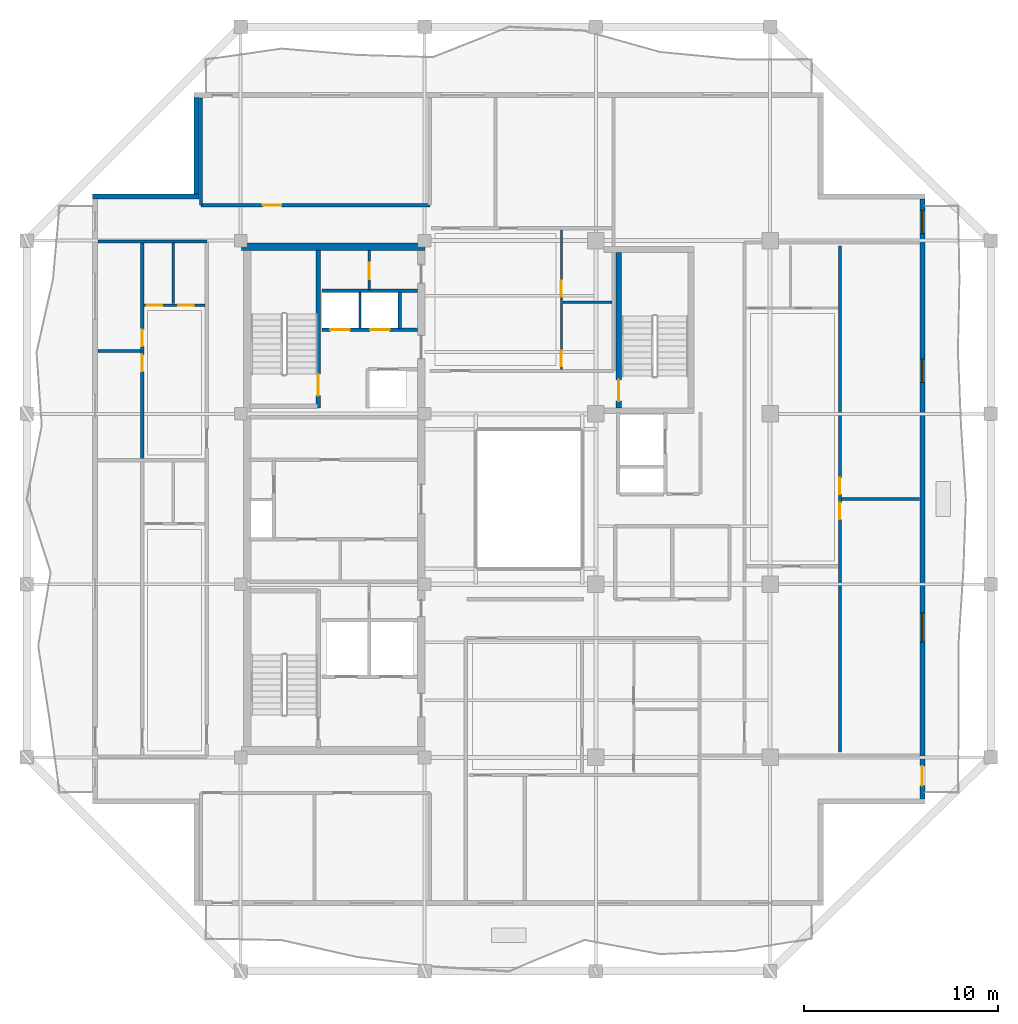
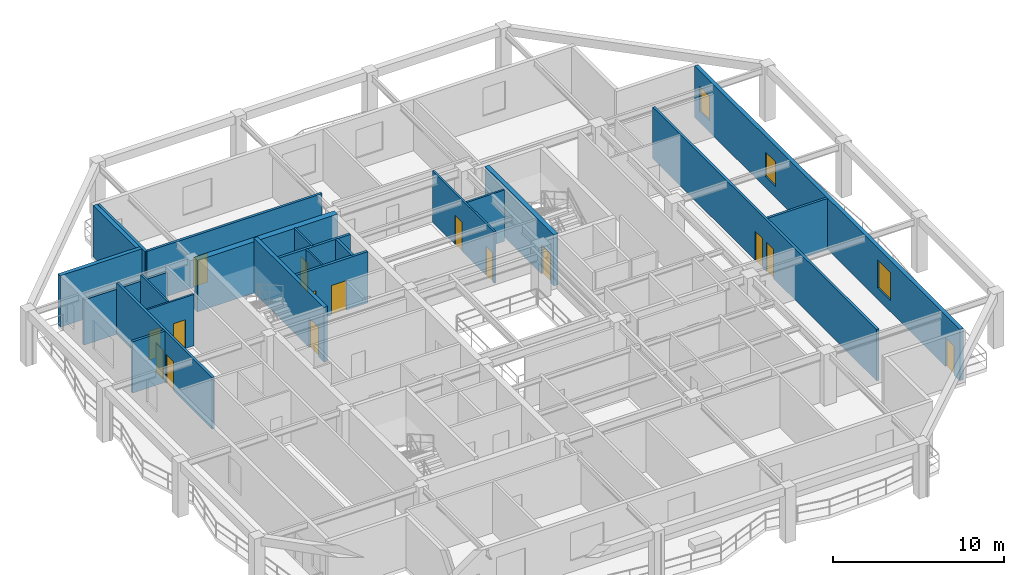
# One storey, part 5 of 11: 22 walls, 15 doors, 3 windows, 18 openings.
"""IFC4 building model written with IfcOpenShell, lengths in metres."""

from ifc_helpers import new_model, si_unit, direction, frame, frame_2d, origin, place, context, subcontext, project, spatial, rectangle, extrude, material, layer, layer_set, type_object, element, fill, save


model = new_model("IFC4")

# Units and contexts
model_context = context("Model", 3, precision=1e-05, world=origin(), true_north=direction((0.0, 1.0)))
body_context = subcontext(model_context, "Body", "Model", "MODEL_VIEW")
ifc_project = project(units=[si_unit("LENGTHUNIT", "METRE"), si_unit("AREAUNIT", "SQUARE_METRE"), si_unit("VOLUMEUNIT", "CUBIC_METRE"), si_unit("PLANEANGLEUNIT", "RADIAN"), si_unit("MASSUNIT", "GRAM", prefix="KILO")], contexts=[model_context])

# Site, building, storey
site_placement = place(None, origin())
site = spatial("IfcSite", under=ifc_project, at=site_placement, CompositionType="ELEMENT")
building_placement = place(site_placement, origin())
building = spatial("IfcBuilding", under=site, at=building_placement, Name="Kundavana Baori Tower", CompositionType="ELEMENT")
storey_placement = place(building_placement, frame((0.0, 0.0, 249.199951171875)))
storey = spatial("IfcBuildingStorey", under=building, at=storey_placement, Name="L61", CompositionType="ELEMENT", Elevation=249.199951171875)

# Wall
ifc_material_1 = material(Name="Concrete C50/60", Category="concrete")
ifc_layer_1 = layer(ifc_material_1, 0.39990234375, Name="WL-CORE-400")
ifc_layer_set_1 = layer_set([ifc_layer_1], Name="Concrete C50/60")
wall_type_1 = type_object("IfcWallType", Name="WL-CORE-400", PredefinedType="SHEAR", material=ifc_layer_set_1)
wall_1_placement = place(storey_placement, frame((15.5, 41.639892578125, 0.0), z_axis=(0.0, 0.0, 1.0), x_axis=(1.0, 0.0, 0.0)))
element("IfcWall", 1, at=wall_1_placement, inside=storey, type_object=wall_type_1, Name="L61 Offset Core North Shear Wall", PredefinedType="SHEAR", context=body_context, shape_type="SweptSolid", body=[
    extrude(rectangle(XDim=9.47998046875, YDim=0.39990234375, at=frame_2d((4.739990234375, 0.0))), origin(), (0.0, 0.0, 1.0), 3.66015625),
])

# Wall, opening, door
wall_2_placement = place(storey_placement, frame((19.4599609375, 33.300048828125, 0.0), z_axis=(0.0, 0.0, 1.0), x_axis=(0.0, 1.0, 0.0)))
wall_2 = element("IfcWall", 2, at=wall_2_placement, inside=storey, type_object=wall_type_1, Name="WL-L61-ST2-E", PredefinedType="SHEAR", context=body_context, shape_type="SweptSolid", body=[
    extrude(rectangle(XDim=8.179931640625, YDim=0.239990234375, at=frame_2d((4.08984375, 0.0))), origin(), (0.0, 0.0, 1.0), 3.900146484375),
])
opening_1_placement = place(wall_2_placement, frame((0.64990234375, 0.0, 0.0)))
opening_1 = element("IfcOpeningElement", 3, at=opening_1_placement, cuts=wall_2, Name="Opening FD-110", PredefinedType="OPENING", context=body_context, shape_type="SweptSolid", body=[
    extrude(rectangle(XDim=1.10009765625, YDim=2.10009765625, at=frame_2d((0.550048828125, 1.050048828125))), frame((0.0, 0.1298828125, 0.0), z_axis=(0.0, -1.0, 0.0), x_axis=(1.0, 0.0, 0.0)), (0.0, 0.0, 1.0), 0.260009765625),
])
ifc_material_2 = material(Name="Galvanised Steel Fire-Rated Door Leaf", Category="steel")
door_type_1 = type_object("IfcDoorType", Name="DR-FD120-1100", OperationType="NOTDEFINED", PredefinedType="DOOR", material=ifc_material_2)
door_1_placement = place(opening_1_placement, origin())
door_1 = element("IfcDoor", 4, at=door_1_placement, inside=storey, type_object=door_type_1, Name="DR-L61-ST2", OperationType="SINGLE_SWING_RIGHT", OverallHeight=2.10009765625, OverallWidth=1.10009765625, PredefinedType="DOOR", context=body_context, shape_type="SweptSolid", body=[
    extrude(rectangle(XDim=1.10009765625, YDim=2.10009765625, at=frame_2d((0.550048828125, 1.050048828125))), frame((0.0, 0.02490234375, 0.0), z_axis=(0.0, -1.0, 0.0), x_axis=(1.0, 0.0, 0.0)), (0.0, 0.0, 1.0), 0.050048828125),
])
fill(opening_1, door_1)

# Wall, openings, door, windows
ifc_material_3 = material(Name="Kiln-Fired Terracotta Brick-Slip Masonry on Concrete C40/50", Category="masonry")
ifc_layer_2 = layer(ifc_material_3, 0.260009765625, Name="WL-EXT-BRK-260")
ifc_layer_set_2 = layer_set([ifc_layer_2], Name="Kiln-Fired Terracotta Brick-Slip Masonry on Concrete C40/50")
wall_type_2 = type_object("IfcWallType", Name="WL-EXT-BRK-260", PredefinedType="SOLIDWALL", material=ifc_layer_set_2)
wall_3_placement = place(storey_placement, frame((50.669921875, 13.110107421875, 0.0), z_axis=(0.0, 0.0, 1.0), x_axis=(0.0, 1.0, 0.0)))
wall_3 = element("IfcWall", 5, at=wall_3_placement, inside=storey, type_object=wall_type_2, Name="L61 Exterior Insulated Facade Wall 04", PredefinedType="SOLIDWALL", context=body_context, shape_type="SweptSolid", body=[
    extrude(rectangle(XDim=30.97998046875, YDim=0.260009765625, at=frame_2d((15.489990234375, 0.0))), origin(), (0.0, 0.0, 1.0), 3.66015625),
])
opening_2_placement = place(wall_3_placement, frame((0.68994140625, 0.0, 0.0)))
opening_2 = element("IfcOpeningElement", 6, at=opening_2_placement, cuts=wall_3, Name="Opening BD-1", PredefinedType="OPENING", context=body_context, shape_type="SweptSolid", body=[
    extrude(rectangle(XDim=1.0, YDim=2.050048828125, at=frame_2d((0.5, 1.02490234375))), frame((0.0, 0.14013671875, 0.0), z_axis=(0.0, -1.0, 0.0), x_axis=(1.0, 0.0, 0.0)), (0.0, 0.0, 1.0), 0.280029296875),
])
opening_3_placement = place(wall_3_placement, frame((8.114990234375, 0.0, 0.800048828125)))
opening_3 = element("IfcOpeningElement", 7, at=opening_3_placement, cuts=wall_3, Name="Opening W-02", PredefinedType="OPENING", context=body_context, shape_type="SweptSolid", body=[
    extrude(rectangle(XDim=1.5, YDim=2.0, at=frame_2d((0.75, 1.0))), frame((0.0, 0.14013671875, 0.0), z_axis=(0.0, -1.0, 0.0), x_axis=(1.0, 0.0, 0.0)), (0.0, 0.0, 1.0), 0.280029296875),
])
opening_4_placement = place(wall_3_placement, frame((21.514892578125, 0.0, 0.800048828125)))
opening_4 = element("IfcOpeningElement", 8, at=opening_4_placement, cuts=wall_3, Name="Opening W-03", PredefinedType="OPENING", context=body_context, shape_type="SweptSolid", body=[
    extrude(rectangle(XDim=1.199951171875, YDim=1.75, at=frame_2d((0.60009765625, 0.875))), frame((0.0, 0.14013671875, 0.0), z_axis=(0.0, -1.0, 0.0), x_axis=(1.0, 0.0, 0.0)), (0.0, 0.0, 1.0), 0.280029296875),
])
opening_5_placement = place(wall_3_placement, frame((29.205078125, 0.0, 0.800048828125)))
opening_5 = element("IfcOpeningElement", 9, at=opening_5_placement, cuts=wall_3, Name="Opening W-03", PredefinedType="OPENING", context=body_context, shape_type="SweptSolid", body=[
    extrude(rectangle(XDim=1.199951171875, YDim=1.75, at=frame_2d((0.60009765625, 0.875))), frame((0.0, 0.14013671875, 0.0), z_axis=(0.0, -1.0, 0.0), x_axis=(1.0, 0.0, 0.0)), (0.0, 0.0, 1.0), 0.280029296875),
])
ifc_material_4 = material(Name="Architectural Patinated Bronze Metalwork")
door_type_2 = type_object("IfcDoorType", Name="DR-EXT-LOG-1000", OperationType="NOTDEFINED", PredefinedType="DOOR", material=ifc_material_4)
door_2_placement = place(opening_2_placement, frame((1.0, 0.0, 0.0), z_axis=(0.0, 0.0, 1.0), x_axis=(-1.0, 0.0, 0.0)))
door_2 = element("IfcDoor", 10, at=door_2_placement, inside=storey, type_object=door_type_2, Name="L61 Loggia Balcony Access Door E", OperationType="SINGLE_SWING_RIGHT", OverallHeight=2.050048828125, OverallWidth=1.0, PredefinedType="DOOR", context=body_context, shape_type="SweptSolid", body=[
    extrude(rectangle(XDim=1.0, YDim=2.050048828125, at=frame_2d((0.5, 1.02490234375))), frame((0.0, 0.02490234375, 0.0), z_axis=(0.0, -1.0, 0.0), x_axis=(1.0, 0.0, 0.0)), (0.0, 0.0, 1.0), 0.050048828125),
])
fill(opening_2, door_2)
ifc_material_5 = material(Name="Double-Glazed Solar-Control Low-E Insulated Glass", Category="glass")
window_type_1 = type_object("IfcWindowType", Name="WIN-LOG-1200x1750", PartitioningType="SINGLE_PANEL", PredefinedType="WINDOW", material=ifc_material_5)
window_1_placement = place(opening_4_placement, origin())
window_1 = element("IfcWindow", 11, at=window_1_placement, inside=storey, type_object=window_type_1, Name="L61 Recessed Loggia Window E-3", OverallHeight=1.75, OverallWidth=1.199951171875, PartitioningType="SINGLE_PANEL", PredefinedType="WINDOW", context=body_context, shape_type="SweptSolid", body=[
    extrude(rectangle(XDim=1.199951171875, YDim=1.75, at=frame_2d((0.60009765625, 0.875))), frame((0.0, 0.030029296875, 0.0), z_axis=(0.0, -1.0, 0.0), x_axis=(1.0, 0.0, 0.0)), (0.0, 0.0, 1.0), 0.06005859375),
])
fill(opening_4, window_1)
window_2_placement = place(opening_5_placement, origin())
window_2 = element("IfcWindow", 12, at=window_2_placement, inside=storey, type_object=window_type_1, Name="L61 Recessed Loggia Window E-4", OverallHeight=1.75, OverallWidth=1.199951171875, PartitioningType="SINGLE_PANEL", PredefinedType="WINDOW", context=body_context, shape_type="SweptSolid", body=[
    extrude(rectangle(XDim=1.199951171875, YDim=1.75, at=frame_2d((0.60009765625, 0.875))), frame((0.0, 0.030029296875, 0.0), z_axis=(0.0, -1.0, 0.0), x_axis=(1.0, 0.0, 0.0)), (0.0, 0.0, 1.0), 0.06005859375),
])
fill(opening_5, window_2)
ifc_material_6 = material(Name="Double-Glazed Solar-Control Low-E Insulated Glass", Category="glass")
window_type_2 = type_object("IfcWindowType", Name="WIN-LOG-1500x2000", PartitioningType="SINGLE_PANEL", PredefinedType="WINDOW", material=ifc_material_6)
window_3_placement = place(opening_3_placement, origin())
window_3 = element("IfcWindow", 13, at=window_3_placement, inside=storey, type_object=window_type_2, Name="L61 Recessed Loggia Window E-2", OverallHeight=2.0, OverallWidth=1.5, PartitioningType="SINGLE_PANEL", PredefinedType="WINDOW", context=body_context, shape_type="SweptSolid", body=[
    extrude(rectangle(XDim=1.5, YDim=2.0, at=frame_2d((0.75, 1.0))), frame((0.0, 0.030029296875, 0.0), z_axis=(0.0, -1.0, 0.0), x_axis=(1.0, 0.0, 0.0)), (0.0, 0.0, 1.0), 0.06005859375),
])
fill(opening_3, window_3)

# Walls
wall_4_placement = place(storey_placement, frame((13.179931640625, 49.340087890625, 0.0), z_axis=(0.0, 0.0, 1.0), x_axis=(0.0, -1.0, 0.0)))
element("IfcWall", 14, at=wall_4_placement, inside=storey, type_object=wall_type_2, Name="L61 Exterior Insulated Facade Wall 08", PredefinedType="SOLIDWALL", context=body_context, shape_type="SweptSolid", body=[
    extrude(rectangle(XDim=4.989990234375, YDim=0.260009765625, at=frame_2d((2.4951171875, 0.0))), origin(), (0.0, 0.0, 1.0), 3.66015625),
])
wall_5_placement = place(storey_placement, frame((13.31005859375, 44.219970703125, 0.0), z_axis=(0.0, 0.0, 1.0), x_axis=(-1.0, 0.0, 0.0)))
element("IfcWall", 15, at=wall_5_placement, inside=storey, type_object=wall_type_2, Name="L61 Exterior Insulated Facade Wall 09", PredefinedType="SOLIDWALL", context=body_context, shape_type="SweptSolid", body=[
    extrude(rectangle(XDim=5.510009765625, YDim=0.260009765625, at=frame_2d((2.7548828125, 0.0))), origin(), (0.0, 0.0, 1.0), 3.66015625),
])
ifc_material_7 = material(Name="Acoustic Gypsum Plasterboard on Galvanised Steel Studs", Category="steel")
ifc_layer_3 = layer(ifc_material_7, 0.1201171875, Name="WL-PART-120")
ifc_layer_set_3 = layer_set([ifc_layer_3], Name="Acoustic Gypsum Plasterboard on Galvanised Steel Studs")
wall_type_3 = type_object("IfcWallType", Name="WL-PART-120", PredefinedType="PARTITIONING", material=ifc_layer_set_3)
wall_6_placement = place(storey_placement, frame((21.6201171875, 37.39990234375, 0.0), z_axis=(0.0, 0.0, 1.0), x_axis=(0.0, 1.0, 0.0)))
element("IfcWall", 16, at=wall_6_placement, inside=storey, type_object=wall_type_3, Name="WL-L61-HR-DIV1", PredefinedType="PARTITIONING", context=body_context, shape_type="SweptSolid", body=[
    extrude(rectangle(XDim=1.900146484375, YDim=0.1201171875, at=frame_2d((0.9501953125, 0.0))), origin(), (0.0, 0.0, 1.0), 3.66015625),
])

# Wall, opening, door
wall_7_placement = place(storey_placement, frame((22.10009765625, 39.39990234375, 0.0), z_axis=(0.0, 0.0, 1.0), x_axis=(0.0, 1.0, 0.0)))
wall_7 = element("IfcWall", 17, at=wall_7_placement, inside=storey, type_object=wall_type_3, Name="WL-L61-CSRV-D1", PredefinedType="PARTITIONING", context=body_context, shape_type="SweptSolid", body=[
    extrude(rectangle(XDim=2.080078125, YDim=0.1201171875, at=frame_2d((1.0400390625, 0.0))), origin(), (0.0, 0.0, 1.0), 3.66015625),
])
opening_6_placement = place(wall_7_placement, frame((0.550048828125, 0.0, 0.0)))
opening_6 = element("IfcOpeningElement", 18, at=opening_6_placement, cuts=wall_7, Name="Opening FD-085", PredefinedType="OPENING", context=body_context, shape_type="SweptSolid", body=[
    extrude(rectangle(XDim=0.85009765625, YDim=2.06005859375, at=frame_2d((0.425048828125, 1.030029296875))), frame((0.0, 0.070068359375, 0.0), z_axis=(0.0, -1.0, 0.0), x_axis=(1.0, 0.0, 0.0)), (0.0, 0.0, 1.0), 0.14013671875),
])
ifc_material_8 = material(Name="Galvanised Steel Fire-Rated Door Leaf", Category="steel")
door_type_3 = type_object("IfcDoorType", Name="DR-FD60-850", OperationType="NOTDEFINED", PredefinedType="DOOR", material=ifc_material_8)
door_3_placement = place(opening_6_placement, origin())
door_3 = element("IfcDoor", 19, at=door_3_placement, inside=storey, type_object=door_type_3, Name="DR-L61-CSRV1", OperationType="SINGLE_SWING_LEFT", OverallHeight=2.06005859375, OverallWidth=0.85009765625, PredefinedType="DOOR", context=body_context, shape_type="SweptSolid", body=[
    extrude(rectangle(XDim=0.85009765625, YDim=2.06005859375, at=frame_2d((0.425048828125, 1.030029296875))), frame((0.0, 0.02490234375, 0.0), z_axis=(0.0, -1.0, 0.0), x_axis=(1.0, 0.0, 0.0)), (0.0, 0.0, 1.0), 0.050048828125),
])
fill(opening_6, door_3)

ifc_material_9 = material(Name="Fire-Rated Gypsum Drywall on Galvanised Steel Studs", Category="steel")
ifc_layer_4 = layer(ifc_material_9, 0.1650390625, Name="WL-PART-165")
ifc_layer_set_4 = layer_set([ifc_layer_4], Name="Fire-Rated Gypsum Drywall on Galvanised Steel Studs")
wall_type_4 = type_object("IfcWallType", Name="WL-PART-165", PredefinedType="PARTITIONING", material=ifc_layer_set_4)
wall_8_placement = place(storey_placement, frame((13.39990234375, 43.780029296875, 0.0), z_axis=(0.0, 0.0, 1.0), x_axis=(1.0, 0.0, 0.0)))
wall_8 = element("IfcWall", 20, at=wall_8_placement, inside=storey, type_object=wall_type_4, Name="WL-L61-RNC", PredefinedType="PARTITIONING", context=body_context, shape_type="SweptSolid", body=[
    extrude(rectangle(XDim=11.820068359375, YDim=0.1650390625, at=frame_2d((5.91015625, 0.0))), origin(), (0.0, 0.0, 1.0), 3.66015625),
])
opening_7_placement = place(wall_8_placement, frame((3.199951171875, 0.0, 0.0)))
opening_7 = element("IfcOpeningElement", 21, at=opening_7_placement, cuts=wall_8, Name="Opening ID-095", PredefinedType="OPENING", context=body_context, shape_type="SweptSolid", body=[
    extrude(rectangle(XDim=0.949951171875, YDim=2.080078125, at=frame_2d((0.47509765625, 1.0400390625))), frame((0.0, 0.092529296875, 0.0), z_axis=(0.0, -1.0, 0.0), x_axis=(1.0, 0.0, 0.0)), (0.0, 0.0, 1.0), 0.18505859375),
])
ifc_material_10 = material(Name="Engineered Teak Solid-Core Timber Veneer", Category="wood")
door_type_4 = type_object("IfcDoorType", Name="DR-INT-950", OperationType="NOTDEFINED", PredefinedType="DOOR", material=ifc_material_10)
door_4_placement = place(opening_7_placement, origin())
door_4 = element("IfcDoor", 22, at=door_4_placement, inside=storey, type_object=door_type_4, Name="DR-L61-RMNW", OperationType="SINGLE_SWING_RIGHT", OverallHeight=2.080078125, OverallWidth=0.949951171875, PredefinedType="DOOR", context=body_context, shape_type="SweptSolid", body=[
    extrude(rectangle(XDim=0.949951171875, YDim=2.080078125, at=frame_2d((0.47509765625, 1.0400390625))), frame((0.0, 0.02490234375, 0.0), z_axis=(0.0, -1.0, 0.0), x_axis=(1.0, 0.0, 0.0)), (0.0, 0.0, 1.0), 0.050048828125),
])
fill(opening_7, door_4)

# Walls
wall_9_placement = place(storey_placement, frame((13.39990234375, 43.780029296875, 0.0), z_axis=(0.0, 0.0, 1.0), x_axis=(0.0, 1.0, 0.0)))
element("IfcWall", 23, at=wall_9_placement, inside=storey, type_object=wall_type_4, Name="WL-L61-RNCW", PredefinedType="PARTITIONING", context=body_context, shape_type="SweptSolid", body=[
    extrude(rectangle(XDim=5.5400390625, YDim=0.1650390625, at=frame_2d((2.77001953125, 0.0))), origin(), (0.0, 0.0, 1.0), 3.66015625),
])
wall_10_placement = place(storey_placement, frame((8.080078125, 41.89990234375, 0.0), z_axis=(0.0, 0.0, 1.0), x_axis=(1.0, 0.0, 0.0)))
element("IfcWall", 24, at=wall_10_placement, inside=storey, type_object=wall_type_4, Name="WL-L61-RWN", PredefinedType="PARTITIONING", context=body_context, shape_type="SweptSolid", body=[
    extrude(rectangle(XDim=5.619873046875, YDim=0.1650390625, at=frame_2d((2.81005859375, 0.0))), origin(), (0.0, 0.0, 1.0), 3.2099609375),
])

# Wall, openings, doors
wall_11_placement = place(storey_placement, frame((10.3701171875, 30.679931640625, 0.0), z_axis=(0.0, 0.0, 1.0), x_axis=(0.0, 1.0, 0.0)))
wall_11 = element("IfcWall", 25, at=wall_11_placement, inside=storey, type_object=wall_type_4, Name="WL-L61-W2-VT", PredefinedType="PARTITIONING", context=body_context, shape_type="SweptSolid", body=[
    extrude(rectangle(XDim=11.14013671875, YDim=0.1650390625, at=frame_2d((5.570068359375, 0.0))), origin(), (0.0, 0.0, 1.0), 3.66015625),
])
opening_8_placement = place(wall_11_placement, frame((4.52001953125, 0.0, 0.0)))
opening_8 = element("IfcOpeningElement", 26, at=opening_8_placement, cuts=wall_11, Name="Opening ID-085", PredefinedType="OPENING", context=body_context, shape_type="SweptSolid", body=[
    extrude(rectangle(XDim=0.85009765625, YDim=2.080078125, at=frame_2d((0.425048828125, 1.0400390625))), frame((0.0, 0.092529296875, 0.0), z_axis=(0.0, -1.0, 0.0), x_axis=(1.0, 0.0, 0.0)), (0.0, 0.0, 1.0), 0.18505859375),
])
opening_9_placement = place(wall_11_placement, frame((5.820068359375, 0.0, 0.0)))
opening_9 = element("IfcOpeningElement", 27, at=opening_9_placement, cuts=wall_11, Name="Opening ID-085", PredefinedType="OPENING", context=body_context, shape_type="SweptSolid", body=[
    extrude(rectangle(XDim=0.85009765625, YDim=2.080078125, at=frame_2d((0.425048828125, 1.0400390625))), frame((0.0, 0.092529296875, 0.0), z_axis=(0.0, -1.0, 0.0), x_axis=(1.0, 0.0, 0.0)), (0.0, 0.0, 1.0), 0.18505859375),
])
ifc_material_11 = material(Name="Engineered Teak Solid-Core Timber Veneer", Category="wood")
door_type_5 = type_object("IfcDoorType", Name="DR-INT-850", OperationType="NOTDEFINED", PredefinedType="DOOR", material=ifc_material_11)
door_5_placement = place(opening_8_placement, frame((0.85009765625, 0.0, 0.0), z_axis=(0.0, 0.0, 1.0), x_axis=(-1.0, 0.0, 0.0)))
door_5 = element("IfcDoor", 28, at=door_5_placement, inside=storey, type_object=door_type_5, Name="DR-L61-W2-B1", OperationType="SINGLE_SWING_LEFT", OverallHeight=2.080078125, OverallWidth=0.85009765625, PredefinedType="DOOR", context=body_context, shape_type="SweptSolid", body=[
    extrude(rectangle(XDim=0.85009765625, YDim=2.080078125, at=frame_2d((0.425048828125, 1.0400390625))), frame((0.0, 0.02490234375, 0.0), z_axis=(0.0, -1.0, 0.0), x_axis=(1.0, 0.0, 0.0)), (0.0, 0.0, 1.0), 0.050048828125),
])
fill(opening_8, door_5)
door_6_placement = place(opening_9_placement, frame((0.85009765625, 0.0, 0.0), z_axis=(0.0, 0.0, 1.0), x_axis=(-1.0, 0.0, 0.0)))
door_6 = element("IfcDoor", 29, at=door_6_placement, inside=storey, type_object=door_type_5, Name="DR-L61-W2-B2", OperationType="SINGLE_SWING_RIGHT", OverallHeight=2.080078125, OverallWidth=0.85009765625, PredefinedType="DOOR", context=body_context, shape_type="SweptSolid", body=[
    extrude(rectangle(XDim=0.85009765625, YDim=2.080078125, at=frame_2d((0.425048828125, 1.0400390625))), frame((0.0, 0.02490234375, 0.0), z_axis=(0.0, -1.0, 0.0), x_axis=(1.0, 0.0, 0.0)), (0.0, 0.0, 1.0), 0.050048828125),
])
fill(opening_9, door_6)

# Wall
wall_12_placement = place(storey_placement, frame((8.080078125, 36.25, 0.0), z_axis=(0.0, 0.0, 1.0), x_axis=(1.0, 0.0, 0.0)))
element("IfcWall", 30, at=wall_12_placement, inside=storey, type_object=wall_type_4, Name="WL-L61-W2-BDH", PredefinedType="PARTITIONING", context=body_context, shape_type="SweptSolid", body=[
    extrude(rectangle(XDim=2.2099609375, YDim=0.1650390625, at=frame_2d((1.10498046875, 0.0))), origin(), (0.0, 0.0, 1.0), 3.66015625),
])

# Wall, openings, doors
wall_13_placement = place(storey_placement, frame((46.407958984375, 15.530029296875, 0.0), z_axis=(0.0, 0.0, 1.0), x_axis=(0.0, 1.0, 0.0)))
wall_13 = element("IfcWall", 31, at=wall_13_placement, inside=storey, type_object=wall_type_4, Name="WL-L61-E1-VT", PredefinedType="PARTITIONING", context=body_context, shape_type="SweptSolid", body=[
    extrude(rectangle(XDim=26.139892578125, YDim=0.1650390625, at=frame_2d((13.06982421875, 0.0))), origin(), (0.0, 0.0, 1.0), 3.66015625),
])
opening_10_placement = place(wall_13_placement, frame((12.02001953125, 0.0, 0.0)))
opening_10 = element("IfcOpeningElement", 32, at=opening_10_placement, cuts=wall_13, Name="Opening ID-085", PredefinedType="OPENING", context=body_context, shape_type="SweptSolid", body=[
    extrude(rectangle(XDim=0.85009765625, YDim=2.080078125, at=frame_2d((0.425048828125, 1.0400390625))), frame((0.0, 0.092529296875, 0.0), z_axis=(0.0, -1.0, 0.0), x_axis=(1.0, 0.0, 0.0)), (0.0, 0.0, 1.0), 0.18505859375),
])
opening_11_placement = place(wall_13_placement, frame((13.320068359375, 0.0, 0.0)))
opening_11 = element("IfcOpeningElement", 33, at=opening_11_placement, cuts=wall_13, Name="Opening ID-085", PredefinedType="OPENING", context=body_context, shape_type="SweptSolid", body=[
    extrude(rectangle(XDim=0.85009765625, YDim=2.080078125, at=frame_2d((0.425048828125, 1.0400390625))), frame((0.0, 0.092529296875, 0.0), z_axis=(0.0, -1.0, 0.0), x_axis=(1.0, 0.0, 0.0)), (0.0, 0.0, 1.0), 0.18505859375),
])
door_7_placement = place(opening_10_placement, origin())
door_7 = element("IfcDoor", 34, at=door_7_placement, inside=storey, type_object=door_type_5, Name="DR-L61-E1-B1", OperationType="SINGLE_SWING_LEFT", OverallHeight=2.080078125, OverallWidth=0.85009765625, PredefinedType="DOOR", context=body_context, shape_type="SweptSolid", body=[
    extrude(rectangle(XDim=0.85009765625, YDim=2.080078125, at=frame_2d((0.425048828125, 1.0400390625))), frame((0.0, 0.02490234375, 0.0), z_axis=(0.0, -1.0, 0.0), x_axis=(1.0, 0.0, 0.0)), (0.0, 0.0, 1.0), 0.050048828125),
])
fill(opening_10, door_7)
door_8_placement = place(opening_11_placement, origin())
door_8 = element("IfcDoor", 35, at=door_8_placement, inside=storey, type_object=door_type_5, Name="DR-L61-E1-B2", OperationType="SINGLE_SWING_RIGHT", OverallHeight=2.080078125, OverallWidth=0.85009765625, PredefinedType="DOOR", context=body_context, shape_type="SweptSolid", body=[
    extrude(rectangle(XDim=0.85009765625, YDim=2.080078125, at=frame_2d((0.425048828125, 1.0400390625))), frame((0.0, 0.02490234375, 0.0), z_axis=(0.0, -1.0, 0.0), x_axis=(1.0, 0.0, 0.0)), (0.0, 0.0, 1.0), 0.050048828125),
])
fill(opening_11, door_8)

# Wall
wall_14_placement = place(storey_placement, frame((46.488037109375, 28.60009765625, 0.0), z_axis=(0.0, 0.0, 1.0), x_axis=(1.0, 0.0, 0.0)))
element("IfcWall", 36, at=wall_14_placement, inside=storey, type_object=wall_type_4, Name="WL-L61-E1-BDH", PredefinedType="PARTITIONING", context=body_context, shape_type="SweptSolid", body=[
    extrude(rectangle(XDim=4.031982421875, YDim=0.1650390625, at=frame_2d((2.01611328125, 0.0))), origin(), (0.0, 0.0, 1.0), 3.66015625),
])

# Wall, openings, doors
ifc_material_12 = material(Name="Autoclaved Aerated Concrete Blockwork Masonry", Category="masonry")
ifc_layer_5 = layer(ifc_material_12, 0.179931640625, Name="WL-SHAFT-180")
ifc_layer_set_5 = layer_set([ifc_layer_5], Name="Autoclaved Aerated Concrete Blockwork Masonry")
wall_type_5 = type_object("IfcWallType", Name="WL-SHAFT-180", PredefinedType="SOLIDWALL", material=ifc_layer_set_5)
wall_15_placement = place(storey_placement, frame((19.639892578125, 37.340087890625, 0.0), z_axis=(0.0, 0.0, 1.0), x_axis=(1.0, 0.0, 0.0)))
wall_15 = element("IfcWall", 37, at=wall_15_placement, inside=storey, type_object=wall_type_5, Name="WL-L61-HRLOB-N", PredefinedType="SOLIDWALL", context=body_context, shape_type="SweptSolid", body=[
    extrude(rectangle(XDim=4.940185546875, YDim=0.179931640625, at=frame_2d((2.47021484375, 0.0))), origin(), (0.0, 0.0, 1.0), 3.66015625),
])
opening_12_placement = place(wall_15_placement, frame((0.449951171875, 0.0, 0.0)))
opening_12 = element("IfcOpeningElement", 38, at=opening_12_placement, cuts=wall_15, Name="Opening LD-100", PredefinedType="OPENING", context=body_context, shape_type="SweptSolid", body=[
    extrude(rectangle(XDim=1.0, YDim=2.10009765625, at=frame_2d((0.5, 1.050048828125))), frame((0.0, 0.10009765625, 0.0), z_axis=(0.0, -1.0, 0.0), x_axis=(1.0, 0.0, 0.0)), (0.0, 0.0, 1.0), 0.199951171875),
])
opening_13_placement = place(wall_15_placement, frame((2.5, 0.0, 0.0)))
opening_13 = element("IfcOpeningElement", 39, at=opening_13_placement, cuts=wall_15, Name="Opening LD-100", PredefinedType="OPENING", context=body_context, shape_type="SweptSolid", body=[
    extrude(rectangle(XDim=1.0, YDim=2.10009765625, at=frame_2d((0.5, 1.050048828125))), frame((0.0, 0.10009765625, 0.0), z_axis=(0.0, -1.0, 0.0), x_axis=(1.0, 0.0, 0.0)), (0.0, 0.0, 1.0), 0.199951171875),
])
ifc_material_13 = material(Name="Galvanised Steel Fire-Rated Door Leaf", Category="steel")
door_type_6 = type_object("IfcDoorType", Name="DR-SLIDE-LD1000", OperationType="NOTDEFINED", PredefinedType="DOOR", material=ifc_material_13)
door_9_placement = place(opening_12_placement, frame((1.0, 0.0, 0.0), z_axis=(0.0, 0.0, 1.0), x_axis=(-1.0, 0.0, 0.0)))
door_9 = element("IfcDoor", 40, at=door_9_placement, inside=storey, type_object=door_type_6, Name="DR-L61-LD-LP09", OperationType="DOUBLE_DOOR_SLIDING", OverallHeight=2.10009765625, OverallWidth=1.0, PredefinedType="DOOR", context=body_context, shape_type="SweptSolid", body=[
    extrude(rectangle(XDim=1.0, YDim=2.10009765625, at=frame_2d((0.5, 1.050048828125))), frame((0.0, 0.02490234375, 0.0), z_axis=(0.0, -1.0, 0.0), x_axis=(1.0, 0.0, 0.0)), (0.0, 0.0, 1.0), 0.050048828125),
])
fill(opening_12, door_9)
door_10_placement = place(opening_13_placement, frame((1.0, 0.0, 0.0), z_axis=(0.0, 0.0, 1.0), x_axis=(-1.0, 0.0, 0.0)))
door_10 = element("IfcDoor", 41, at=door_10_placement, inside=storey, type_object=door_type_6, Name="DR-L61-LD-LP10", OperationType="DOUBLE_DOOR_SLIDING", OverallHeight=2.10009765625, OverallWidth=1.0, PredefinedType="DOOR", context=body_context, shape_type="SweptSolid", body=[
    extrude(rectangle(XDim=1.0, YDim=2.10009765625, at=frame_2d((0.5, 1.050048828125))), frame((0.0, 0.02490234375, 0.0), z_axis=(0.0, -1.0, 0.0), x_axis=(1.0, 0.0, 0.0)), (0.0, 0.0, 1.0), 0.050048828125),
])
fill(opening_13, door_10)

# Walls
wall_16_placement = place(storey_placement, frame((19.639892578125, 39.360107421875, 0.0), z_axis=(0.0, 0.0, 1.0), x_axis=(1.0, 0.0, 0.0)))
element("IfcWall", 42, at=wall_16_placement, inside=storey, type_object=wall_type_5, Name="WL-L61-HRLOB-TOP", PredefinedType="SOLIDWALL", context=body_context, shape_type="SweptSolid", body=[
    extrude(rectangle(XDim=4.940185546875, YDim=0.179931640625, at=frame_2d((2.47021484375, 0.0))), origin(), (0.0, 0.0, 1.0), 3.66015625),
])
wall_17_placement = place(storey_placement, frame((23.659912109375, 37.39990234375, 0.0), z_axis=(0.0, 0.0, 1.0), x_axis=(0.0, 1.0, 0.0)))
element("IfcWall", 43, at=wall_17_placement, inside=storey, type_object=wall_type_5, Name="WL-L61-HR-DIV2", PredefinedType="SOLIDWALL", context=body_context, shape_type="SweptSolid", body=[
    extrude(rectangle(XDim=1.900146484375, YDim=0.179931640625, at=frame_2d((0.9501953125, 0.0))), origin(), (0.0, 0.0, 1.0), 3.66015625),
])

# Wall, opening, door
ifc_material_14 = material(Name="Concrete C50/60", Category="concrete")
ifc_layer_6 = layer(ifc_material_14, 0.300048828125, Name="WL-ST3-300")
ifc_layer_set_6 = layer_set([ifc_layer_6], Name="Concrete C50/60")
wall_type_6 = type_object("IfcWallType", Name="WL-ST3-300", PredefinedType="SHEAR", material=ifc_layer_set_6)
wall_18_placement = place(storey_placement, frame((34.97998046875, 33.31005859375, 0.0), z_axis=(0.0, 0.0, 1.0), x_axis=(0.0, 1.0, 0.0)))
wall_18 = element("IfcWall", 44, at=wall_18_placement, inside=storey, type_object=wall_type_6, Name="L61 Stair ST3 West Shear Wall", PredefinedType="SHEAR", context=body_context, shape_type="SweptSolid", body=[
    extrude(rectangle(XDim=8.030029296875, YDim=0.300048828125, at=frame_2d((4.01513671875, 0.0))), origin(), (0.0, 0.0, 1.0), 3.66015625),
])
opening_14_placement = place(wall_18_placement, frame((0.35009765625, 0.0, 0.0)))
opening_14 = element("IfcOpeningElement", 45, at=opening_14_placement, cuts=wall_18, Name="Opening FD-110", PredefinedType="OPENING", context=body_context, shape_type="SweptSolid", body=[
    extrude(rectangle(XDim=1.10009765625, YDim=2.10009765625, at=frame_2d((0.550048828125, 1.050048828125))), frame((0.0, 0.16015625, 0.0), z_axis=(0.0, -1.0, 0.0), x_axis=(1.0, 0.0, 0.0)), (0.0, 0.0, 1.0), 0.320068359375),
])
door_11_placement = place(opening_14_placement, origin())
door_11 = element("IfcDoor", 46, at=door_11_placement, inside=storey, type_object=door_type_1, Name="DR-L61-ST3-W", OperationType="SINGLE_SWING_LEFT", OverallHeight=2.10009765625, OverallWidth=1.10009765625, PredefinedType="DOOR", context=body_context, shape_type="SweptSolid", body=[
    extrude(rectangle(XDim=1.10009765625, YDim=2.10009765625, at=frame_2d((0.550048828125, 1.050048828125))), frame((0.0, 0.02490234375, 0.0), z_axis=(0.0, -1.0, 0.0), x_axis=(1.0, 0.0, 0.0)), (0.0, 0.0, 1.0), 0.050048828125),
])
fill(opening_14, door_11)

# Wall, openings, doors
ifc_material_15 = material(Name="Autoclaved Aerated Concrete Blockwork Masonry", Category="masonry")
ifc_layer_7 = layer(ifc_material_15, 0.125, Name="WL-WET-120")
ifc_layer_set_7 = layer_set([ifc_layer_7], Name="Autoclaved Aerated Concrete Blockwork Masonry")
wall_type_7 = type_object("IfcWallType", Name="WL-WET-120", PredefinedType="PLUMBINGWALL", material=ifc_layer_set_7)
wall_19_placement = place(storey_placement, frame((10.449951171875, 38.6201171875, 0.0), z_axis=(0.0, 0.0, 1.0), x_axis=(1.0, 0.0, 0.0)))
wall_19 = element("IfcWall", 47, at=wall_19_placement, inside=storey, type_object=wall_type_7, Name="WL-L61-W2-KH", PredefinedType="PLUMBINGWALL", context=body_context, shape_type="SweptSolid", body=[
    extrude(rectangle(XDim=3.170166015625, YDim=0.125, at=frame_2d((1.5849609375, 0.0))), origin(), (0.0, 0.0, 1.0), 3.66015625),
])
opening_15_placement = place(wall_19_placement, frame((0.159912109375, 0.0, 0.0)))
opening_15 = element("IfcOpeningElement", 48, at=opening_15_placement, cuts=wall_19, Name="Opening WD-080", PredefinedType="OPENING", context=body_context, shape_type="SweptSolid", body=[
    extrude(rectangle(XDim=0.800048828125, YDim=2.050048828125, at=frame_2d((0.39990234375, 1.02490234375))), frame((0.0, 0.072509765625, 0.0), z_axis=(0.0, -1.0, 0.0), x_axis=(1.0, 0.0, 0.0)), (0.0, 0.0, 1.0), 0.14501953125),
])
opening_16_placement = place(wall_19_placement, frame((1.781982421875, 0.0, 0.0)))
opening_16 = element("IfcOpeningElement", 49, at=opening_16_placement, cuts=wall_19, Name="Opening WD-080", PredefinedType="OPENING", context=body_context, shape_type="SweptSolid", body=[
    extrude(rectangle(XDim=0.800048828125, YDim=2.050048828125, at=frame_2d((0.39990234375, 1.02490234375))), frame((0.0, 0.072509765625, 0.0), z_axis=(0.0, -1.0, 0.0), x_axis=(1.0, 0.0, 0.0)), (0.0, 0.0, 1.0), 0.14501953125),
])
ifc_material_16 = material(Name="Engineered Teak Solid-Core Timber Veneer", Category="wood")
door_type_7 = type_object("IfcDoorType", Name="DR-WET-800", OperationType="NOTDEFINED", PredefinedType="DOOR", material=ifc_material_16)
door_12_placement = place(opening_15_placement, origin())
door_12 = element("IfcDoor", 50, at=door_12_placement, inside=storey, type_object=door_type_7, Name="DR-L61-W2-BT", OperationType="SINGLE_SWING_LEFT", OverallHeight=2.050048828125, OverallWidth=0.800048828125, PredefinedType="DOOR", context=body_context, shape_type="SweptSolid", body=[
    extrude(rectangle(XDim=0.800048828125, YDim=2.050048828125, at=frame_2d((0.39990234375, 1.02490234375))), frame((0.0, 0.02490234375, 0.0), z_axis=(0.0, -1.0, 0.0), x_axis=(1.0, 0.0, 0.0)), (0.0, 0.0, 1.0), 0.050048828125),
])
fill(opening_15, door_12)
door_13_placement = place(opening_16_placement, origin())
door_13 = element("IfcDoor", 51, at=door_13_placement, inside=storey, type_object=door_type_7, Name="DR-L61-W2-KT", OperationType="SINGLE_SWING_RIGHT", OverallHeight=2.050048828125, OverallWidth=0.800048828125, PredefinedType="DOOR", context=body_context, shape_type="SweptSolid", body=[
    extrude(rectangle(XDim=0.800048828125, YDim=2.050048828125, at=frame_2d((0.39990234375, 1.02490234375))), frame((0.0, 0.02490234375, 0.0), z_axis=(0.0, -1.0, 0.0), x_axis=(1.0, 0.0, 0.0)), (0.0, 0.0, 1.0), 0.050048828125),
])
fill(opening_16, door_13)

# Wall
wall_20_placement = place(storey_placement, frame((11.971923828125, 38.699951171875, 0.0), z_axis=(0.0, 0.0, 1.0), x_axis=(0.0, 1.0, 0.0)))
element("IfcWall", 52, at=wall_20_placement, inside=storey, type_object=wall_type_7, Name="WL-L61-W2-BV", PredefinedType="PLUMBINGWALL", context=body_context, shape_type="SweptSolid", body=[
    extrude(rectangle(XDim=3.1201171875, YDim=0.125, at=frame_2d((1.56005859375, 0.0))), origin(), (0.0, 0.0, 1.0), 3.66015625),
])

# Wall, openings, doors
wall_21_placement = place(storey_placement, frame((32.02490234375, 35.300048828125, 0.0), z_axis=(0.0, 0.0, 1.0), x_axis=(0.0, 1.0, 0.0)))
wall_21 = element("IfcWall", 53, at=wall_21_placement, inside=storey, type_object=wall_type_7, Name="WL-L61-N1-KT", PredefinedType="PLUMBINGWALL", context=body_context, shape_type="SweptSolid", body=[
    extrude(rectangle(XDim=7.2099609375, YDim=0.125, at=frame_2d((3.60498046875, 0.0))), origin(), (0.0, 0.0, 1.0), 3.66015625),
])
opening_17_placement = place(wall_21_placement, frame((0.159912109375, 0.0, 0.0)))
opening_17 = element("IfcOpeningElement", 54, at=opening_17_placement, cuts=wall_21, Name="Opening WD-080", PredefinedType="OPENING", context=body_context, shape_type="SweptSolid", body=[
    extrude(rectangle(XDim=0.800048828125, YDim=2.050048828125, at=frame_2d((0.39990234375, 1.02490234375))), frame((0.0, 0.072509765625, 0.0), z_axis=(0.0, -1.0, 0.0), x_axis=(1.0, 0.0, 0.0)), (0.0, 0.0, 1.0), 0.14501953125),
])
opening_18_placement = place(wall_21_placement, frame((3.740966796875, 0.0, 0.0)))
opening_18 = element("IfcOpeningElement", 55, at=opening_18_placement, cuts=wall_21, Name="Opening ID-085", PredefinedType="OPENING", context=body_context, shape_type="SweptSolid", body=[
    extrude(rectangle(XDim=0.85009765625, YDim=2.080078125, at=frame_2d((0.425048828125, 1.0400390625))), frame((0.0, 0.072509765625, 0.0), z_axis=(0.0, -1.0, 0.0), x_axis=(1.0, 0.0, 0.0)), (0.0, 0.0, 1.0), 0.14501953125),
])
door_14_placement = place(opening_18_placement, origin())
door_14 = element("IfcDoor", 56, at=door_14_placement, inside=storey, type_object=door_type_5, Name="DR-L61-N1-KT", OperationType="SINGLE_SWING_RIGHT", OverallHeight=2.080078125, OverallWidth=0.85009765625, PredefinedType="DOOR", context=body_context, shape_type="SweptSolid", body=[
    extrude(rectangle(XDim=0.85009765625, YDim=2.080078125, at=frame_2d((0.425048828125, 1.0400390625))), frame((0.0, 0.02490234375, 0.0), z_axis=(0.0, -1.0, 0.0), x_axis=(1.0, 0.0, 0.0)), (0.0, 0.0, 1.0), 0.050048828125),
])
fill(opening_18, door_14)
door_15_placement = place(opening_17_placement, origin())
door_15 = element("IfcDoor", 57, at=door_15_placement, inside=storey, type_object=door_type_7, Name="DR-L61-N1-BT", OperationType="SINGLE_SWING_LEFT", OverallHeight=2.050048828125, OverallWidth=0.800048828125, PredefinedType="DOOR", context=body_context, shape_type="SweptSolid", body=[
    extrude(rectangle(XDim=0.800048828125, YDim=2.050048828125, at=frame_2d((0.39990234375, 1.02490234375))), frame((0.0, 0.02490234375, 0.0), z_axis=(0.0, -1.0, 0.0), x_axis=(1.0, 0.0, 0.0)), (0.0, 0.0, 1.0), 0.050048828125),
])
fill(opening_17, door_15)

# Wall
wall_22_placement = place(storey_placement, frame((32.10498046875, 38.760986328125, 0.0), z_axis=(0.0, 0.0, 1.0), x_axis=(1.0, 0.0, 0.0)))
element("IfcWall", 58, at=wall_22_placement, inside=storey, type_object=wall_type_7, Name="WL-L61-N1-BT", PredefinedType="PLUMBINGWALL", context=body_context, shape_type="SweptSolid", body=[
    extrude(rectangle(XDim=2.534912109375, YDim=0.125, at=frame_2d((1.267578125, 0.0))), origin(), (0.0, 0.0, 1.0), 3.66015625),
])

save(model, "model.ifc")
